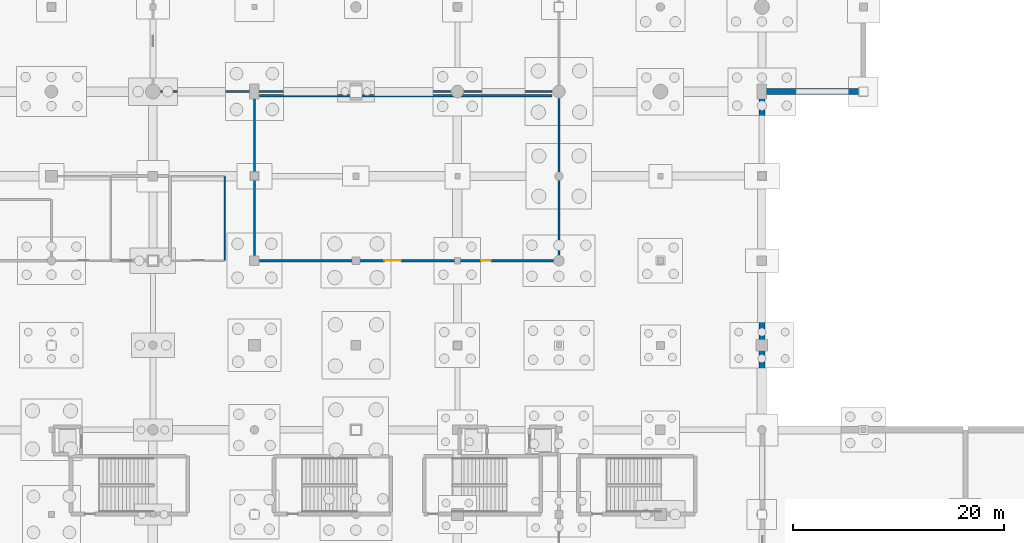
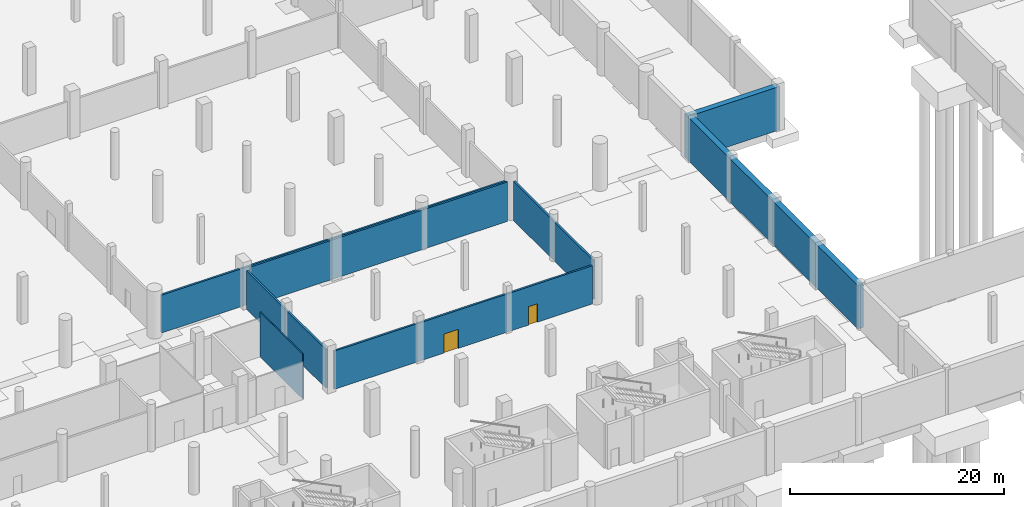
# One storey, part 21 of 44: 8 walls, 2 doors, 2 openings.
"""IFC4 building model written with IfcOpenShell, lengths in metres."""

from ifc_helpers import new_model, si_unit, direction, frame, frame_2d, origin, place, context, subcontext, project, spatial, rectangle, extrude, material, layer, layer_set, type_object, element, fill, save


model = new_model("IFC4")

# Units and contexts
model_context = context("Model", 3, precision=1e-05, world=origin(), true_north=direction((0.0, 1.0)))
body_context = subcontext(model_context, "Body", "Model", "MODEL_VIEW")
ifc_project = project(units=[si_unit("LENGTHUNIT", "METRE"), si_unit("AREAUNIT", "SQUARE_METRE"), si_unit("VOLUMEUNIT", "CUBIC_METRE"), si_unit("PLANEANGLEUNIT", "RADIAN"), si_unit("MASSUNIT", "GRAM", prefix="KILO")], contexts=[model_context])

# Site, building, storey
site_placement = place(None, origin())
site = spatial("IfcSite", under=ifc_project, at=site_placement, CompositionType="ELEMENT")
building_placement = place(site_placement, origin())
building = spatial("IfcBuilding", under=site, at=building_placement, Name="Danafjord Basin Convention Centre", CompositionType="ELEMENT")
storey_placement = place(building_placement, frame((0.0, 0.0, -5.39990234375)))
storey = spatial("IfcBuildingStorey", under=building, at=storey_placement, Name="B1", CompositionType="ELEMENT", Elevation=-5.39990234375)

# Walls
ifc_material_1 = material(Name="Concrete C40/50", Category="concrete")
ifc_layer_1 = layer(ifc_material_1, 0.60009765625)
ifc_layer_set_1 = layer_set([ifc_layer_1], Name="Concrete C40/50")
wall_type_1 = type_object("IfcWallType", Name="WALL-EW-RET600", PredefinedType="SHEAR", material=ifc_layer_set_1)
wall_1_placement = place(storey_placement, frame((124.800048828125, 56.0, 0.0), z_axis=(0.0, 0.0, 1.0), x_axis=(-1.0, 0.0, 0.0)))
element("IfcWall", 1, at=wall_1_placement, inside=storey, type_object=wall_type_1, Name="B1 waterproofed basement retaining wall 21", PredefinedType="SHEAR", context=body_context, shape_type="SweptSolid", body=[
    extrude(rectangle(XDim=9.550048828125, YDim=0.60009765625, at=frame_2d((4.77490234375, 0.0))), origin(), (0.0, 0.0, 1.0), 4.949951171875),
])
wall_2_placement = place(storey_placement, frame((115.199951171875, 56.304931640625, 0.0), z_axis=(0.0, 0.0, 1.0), x_axis=(0.0, -1.0, 0.0)))
element("IfcWall", 2, at=wall_2_placement, inside=storey, type_object=wall_type_1, Name="B1 waterproofed basement retaining wall 25", PredefinedType="SHEAR", context=body_context, shape_type="SweptSolid", body=[
    extrude(rectangle(XDim=32.324951171875, YDim=0.60009765625, at=frame_2d((16.16259765625, 0.0))), origin(), (0.0, 0.0, 1.0), 4.949951171875),
])
ifc_material_2 = material(Name="Moisture-resistant gypsum stud partition")
ifc_layer_2 = layer(ifc_material_2, 0.1201171875)
ifc_layer_set_2 = layer_set([ifc_layer_2], Name="Moisture-resistant gypsum stud partition")
wall_type_2 = type_object("IfcWallType", Name="WALL-PT-ST120", PredefinedType="PARTITIONING", material=ifc_layer_set_2)
wall_3_placement = place(storey_placement, frame((64.39990234375, 40.06396484375, 0.0), z_axis=(0.0, 0.0, 1.0), x_axis=(0.0, 1.0, 0.0)))
element("IfcWall", 3, at=wall_3_placement, inside=storey, type_object=wall_type_2, Name="Basement Accessible WC east partition", PredefinedType="PARTITIONING", context=body_context, shape_type="SweptSolid", body=[
    extrude(rectangle(XDim=7.93603515625, YDim=0.1201171875, at=frame_2d((3.968017578125, 0.0))), origin(), (0.0, 0.0, 1.0), 5.08984375),
])

# Wall, openings, doors
ifc_material_3 = material(Name="Concrete C35/45", Category="concrete")
ifc_layer_3 = layer(ifc_material_3, 0.205078125)
ifc_layer_set_3 = layer_set([ifc_layer_3], Name="Concrete C35/45")
wall_type_3 = type_object("IfcWallType", Name="WALL-W-COMP205", PredefinedType="SOLIDWALL", material=ifc_layer_set_3)
wall_4_placement = place(storey_placement, frame((67.679931640625, 40.0, 0.0), z_axis=(0.0, 0.0, 1.0), x_axis=(1.0, 0.0, 0.0)))
wall_4 = element("IfcWall", 4, at=wall_4_placement, inside=storey, type_object=wall_type_3, Name="Basement Exhibition Storage Depot Central south partition", PredefinedType="SOLIDWALL", context=body_context, shape_type="SweptSolid", body=[
    extrude(rectangle(XDim=27.800048828125, YDim=0.205078125, at=frame_2d((13.89990234375, 0.0))), origin(), (0.0, 0.0, 1.0), 4.35986328125),
])
opening_1_placement = place(wall_4_placement, frame((11.80810546875, 0.0, 0.0)))
opening_1 = element("IfcOpeningElement", 5, at=opening_1_placement, cuts=wall_4, Name="Opening FD-D01", PredefinedType="OPENING", context=body_context, shape_type="SweptSolid", body=[
    extrude(rectangle(XDim=1.56005859375, YDim=2.179931640625, at=frame_2d((0.780029296875, 1.08984375))), frame((0.0, 0.112548828125, 0.0), z_axis=(0.0, -1.0, 0.0), x_axis=(1.0, 0.0, 0.0)), (0.0, 0.0, 1.0), 0.22509765625),
])
opening_2_placement = place(wall_4_placement, frame((20.950927734375, 0.0, 0.0)))
opening_2 = element("IfcOpeningElement", 6, at=opening_2_placement, cuts=wall_4, Name="Opening FD-S02", PredefinedType="OPENING", context=body_context, shape_type="SweptSolid", body=[
    extrude(rectangle(XDim=0.93994140625, YDim=2.10009765625, at=frame_2d((0.469970703125, 1.050048828125))), frame((0.0, 0.112548828125, 0.0), z_axis=(0.0, -1.0, 0.0), x_axis=(1.0, 0.0, 0.0)), (0.0, 0.0, 1.0), 0.22509765625),
])
ifc_material_4 = material(Name="Brushed stainless steel and acoustic laminated glass", Category="steel")
door_type_1 = type_object("IfcDoorType", Name="DOOR-FD-D01", OperationType="DOUBLE_DOOR_SINGLE_SWING", PredefinedType="DOOR", material=ifc_material_4)
door_1_placement = place(opening_1_placement, origin())
door_1 = element("IfcDoor", 7, at=door_1_placement, inside=storey, type_object=door_type_1, Name="Basement Exhibition Storage Depot Central Entrance Door", OperationType="DOUBLE_DOOR_SINGLE_SWING", OverallHeight=2.179931640625, OverallWidth=1.56005859375, PredefinedType="DOOR", context=body_context, shape_type="SweptSolid", body=[
    extrude(rectangle(XDim=1.56005859375, YDim=2.179931640625, at=frame_2d((0.780029296875, 1.08984375))), frame((0.0, 0.02490234375, 0.0), z_axis=(0.0, -1.0, 0.0), x_axis=(1.0, 0.0, 0.0)), (0.0, 0.0, 1.0), 0.050048828125),
])
fill(opening_1, door_1)
ifc_material_5 = material(Name="Powder-coated steel and Nordic oak", Category="steel")
door_type_2 = type_object("IfcDoorType", Name="DOOR-FD-S02", OperationType="NOTDEFINED", PredefinedType="DOOR", material=ifc_material_5)
door_2_placement = place(opening_2_placement, origin())
door_2 = element("IfcDoor", 8, at=door_2_placement, inside=storey, type_object=door_type_2, Name="Basement Exhibition Storage Depot Central Secondary Exit Door", OperationType="SINGLE_SWING_LEFT", OverallHeight=2.10009765625, OverallWidth=0.93994140625, PredefinedType="DOOR", context=body_context, shape_type="SweptSolid", body=[
    extrude(rectangle(XDim=0.93994140625, YDim=2.10009765625, at=frame_2d((0.469970703125, 1.050048828125))), frame((0.0, 0.02490234375, 0.0), z_axis=(0.0, -1.0, 0.0), x_axis=(1.0, 0.0, 0.0)), (0.0, 0.0, 1.0), 0.050048828125),
])
fill(opening_2, door_2)

# Walls
wall_5_placement = place(storey_placement, frame((96.0, 40.52001953125, 0.0), z_axis=(0.0, 0.0, 1.0), x_axis=(0.0, 1.0, 0.0)))
element("IfcWall", 9, at=wall_5_placement, inside=storey, type_object=wall_type_3, Name="Basement Exhibition Storage Depot Central east partition", PredefinedType="SOLIDWALL", context=body_context, shape_type="SweptSolid", body=[
    extrude(rectangle(XDim=14.840087890625, YDim=0.205078125, at=frame_2d((7.419921875, 0.0))), origin(), (0.0, 0.0, 1.0), 4.4599609375),
])
wall_6_placement = place(storey_placement, frame((95.360107421875, 55.60009765625, 0.0), z_axis=(0.0, 0.0, 1.0), x_axis=(-1.0, 0.0, 0.0)))
element("IfcWall", 10, at=wall_6_placement, inside=storey, type_object=wall_type_3, Name="Basement Exhibition Storage Depot Central north partition", PredefinedType="SOLIDWALL", context=body_context, shape_type="SweptSolid", body=[
    extrude(rectangle(XDim=27.68017578125, YDim=0.205078125, at=frame_2d((13.840087890625, 0.0))), origin(), (0.0, 0.0, 1.0), 4.489990234375),
])
wall_7_placement = place(storey_placement, frame((67.199951171875, 55.280029296875, 0.0), z_axis=(0.0, 0.0, 1.0), x_axis=(0.0, -1.0, 0.0)))
element("IfcWall", 11, at=wall_7_placement, inside=storey, type_object=wall_type_3, Name="Basement Exhibition Storage Depot Central west partition", PredefinedType="SOLIDWALL", context=body_context, shape_type="SweptSolid", body=[
    extrude(rectangle(XDim=14.800048828125, YDim=0.205078125, at=frame_2d((7.39990234375, 0.0))), origin(), (0.0, 0.0, 1.0), 4.389892578125),
])
wall_8_placement = place(storey_placement, frame((58.320068359375, 56.0, 0.0), z_axis=(0.0, 0.0, 1.0), x_axis=(1.0, 0.0, 0.0)))
element("IfcWall", 12, at=wall_8_placement, inside=storey, type_object=wall_type_3, Name="North-West Modular Crate and Carpet Depot south partition", PredefinedType="SOLIDWALL", context=body_context, shape_type="SweptSolid", body=[
    extrude(rectangle(XDim=37.0400390625, YDim=0.205078125, at=frame_2d((18.52001953125, 0.0))), origin(), (0.0, 0.0, 1.0), 4.31982421875),
])

save(model, "model.ifc")
